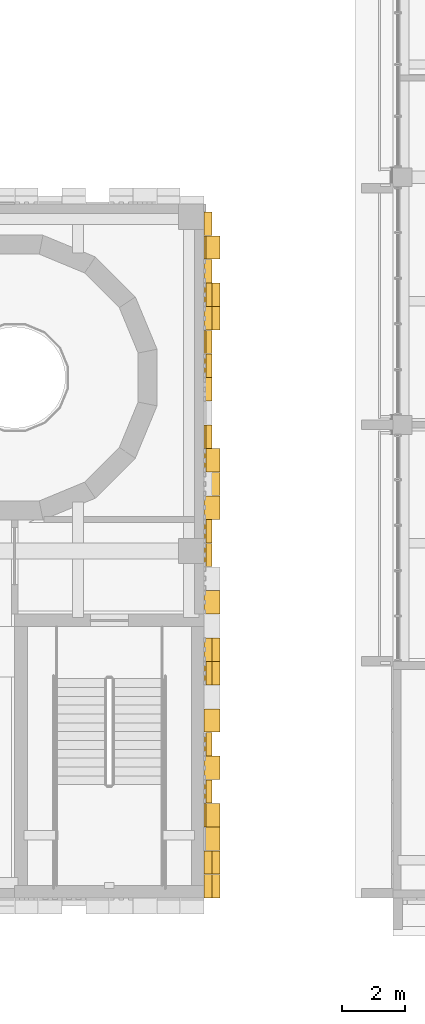
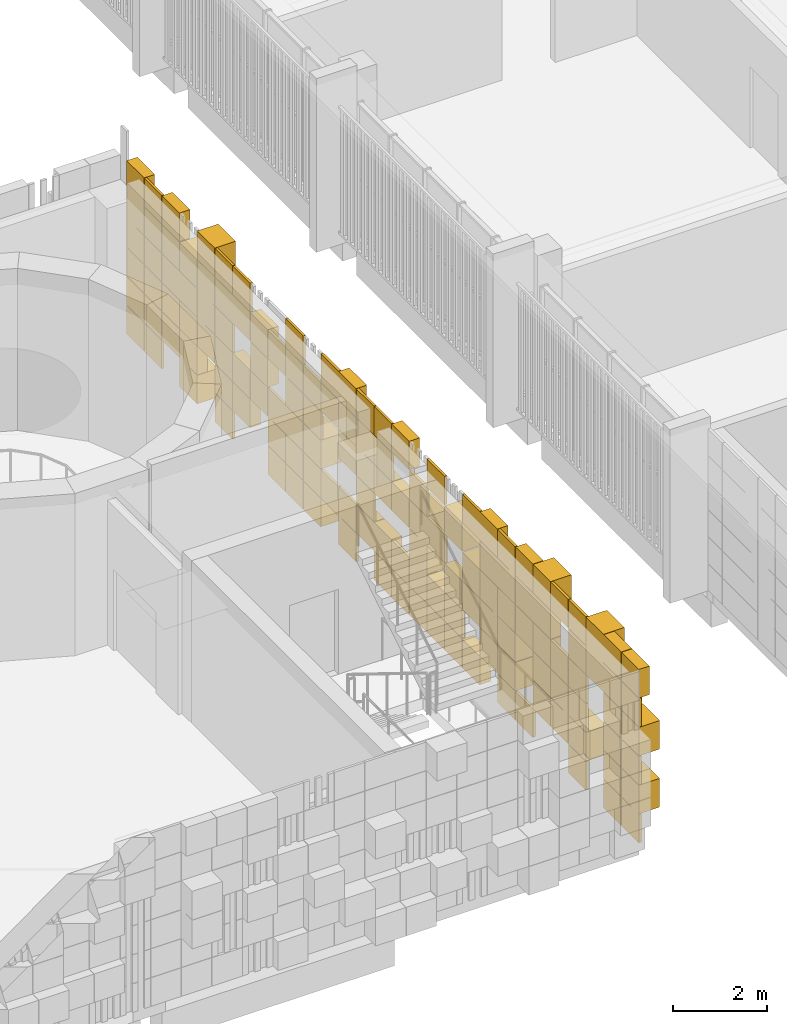
# One storey, part 75 of 92: 4 coverings.
"""IFC4 building model written with IfcOpenShell, lengths in metres."""

from ifc_helpers import new_model, si_unit, direction, frame, origin, origin_2d, place, context, subcontext, project, spatial, rectangle, extrude, material, layer, layer_set, type_object, element, save


model = new_model("IFC4")

# Units and contexts
model_context = context("Model", 3, precision=1e-05, world=origin(), true_north=direction((0.0, 1.0)))
body_context = subcontext(model_context, "Body", "Model", "MODEL_VIEW")
ifc_project = project(units=[si_unit("LENGTHUNIT", "METRE"), si_unit("AREAUNIT", "SQUARE_METRE"), si_unit("VOLUMEUNIT", "CUBIC_METRE"), si_unit("PLANEANGLEUNIT", "RADIAN"), si_unit("MASSUNIT", "GRAM", prefix="KILO")], contexts=[model_context])

# Site, building, storey
site_placement = place(None, origin())
site = spatial("IfcSite", under=ifc_project, at=site_placement, CompositionType="ELEMENT")
building_placement = place(site_placement, origin())
building = spatial("IfcBuilding", under=site, at=building_placement, Name="Sun Court Science Centre", CompositionType="ELEMENT")
storey_placement = place(building_placement, frame((0.0, 0.0, 11.25)))
storey = spatial("IfcBuildingStorey", under=building, at=storey_placement, Name="L02", CompositionType="ELEMENT", Elevation=11.25)

# Coverings
ifc_material_1 = material(Name="Terracotta shade 1", Category="masonry")
ifc_layer_1 = layer(ifc_material_1, 0.06005859375)
ifc_layer_set_1 = layer_set([ifc_layer_1], Name="Terracotta shade 1")
covering_type_1 = type_object("IfcCoveringType", Name="Terracotta pixel panel shade 1", PredefinedType="CLADDING", material=ifc_layer_set_1)
covering_1_placement = place(storey_placement, frame((0.0, 0.0, -11.25)))
element("IfcCovering", 1, at=covering_1_placement, inside=storey, type_object=covering_type_1, Name="Terracotta pixel cladding shade 1 east face L02", PredefinedType="CLADDING", context=body_context, shape_type="SweptSolid", body=[
    extrude(rectangle(XDim=0.739990234375, YDim=0.260009765625, at=origin_2d()), frame((72.1298828125, 27.375, 11.2548828125), z_axis=(0.0, 0.0, 1.0), x_axis=(0.0, -1.0, 0.0)), (0.0, 0.0, 1.0), 0.739990234375),
    extrude(rectangle(XDim=0.739990234375, YDim=0.510009765625, at=origin_2d()), frame((72.2548828125, 19.875, 11.2548828125), z_axis=(0.0, 0.0, 1.0), x_axis=(0.0, -1.0, 0.0)), (0.0, 0.0, 1.0), 0.739990234375),
    extrude(rectangle(XDim=0.739990234375, YDim=0.06005859375, at=origin_2d()), frame((72.030029296875, 16.125, 11.2548828125), z_axis=(0.0, 0.0, 1.0), x_axis=(0.0, -1.0, 0.0)), (0.0, 0.0, 1.0), 0.739990234375),
    extrude(rectangle(XDim=0.739990234375, YDim=0.06005859375, at=origin_2d()), frame((72.030029296875, 13.875, 11.2548828125), z_axis=(0.0, 0.0, 1.0), x_axis=(0.0, -1.0, 0.0)), (0.0, 0.0, 1.0), 0.739990234375),
    extrude(rectangle(XDim=0.739990234375, YDim=0.06005859375, at=origin_2d()), frame((72.030029296875, 8.625, 11.2548828125), z_axis=(0.0, 0.0, 1.0), x_axis=(0.0, -1.0, 0.0)), (0.0, 0.0, 1.0), 0.739990234375),
    extrude(rectangle(XDim=0.739990234375, YDim=0.260009765625, at=origin_2d()), frame((72.1298828125, 27.375, 12.0048828125), z_axis=(0.0, 0.0, 1.0), x_axis=(0.0, -1.0, 0.0)), (0.0, 0.0, 1.0), 0.739990234375),
    extrude(rectangle(XDim=0.739990234375, YDim=0.06005859375, at=origin_2d()), frame((72.030029296875, 25.875, 12.0048828125), z_axis=(0.0, 0.0, 1.0), x_axis=(0.0, -1.0, 0.0)), (0.0, 0.0, 1.0), 0.739990234375),
    extrude(rectangle(XDim=0.739990234375, YDim=0.260009765625, at=origin_2d()), frame((72.1298828125, 22.875, 12.0048828125), z_axis=(0.0, 0.0, 1.0), x_axis=(0.0, -1.0, 0.0)), (0.0, 0.0, 1.0), 0.739990234375),
    extrude(rectangle(XDim=0.739990234375, YDim=0.260009765625, at=origin_2d()), frame((72.1298828125, 21.375, 12.0048828125), z_axis=(0.0, 0.0, 1.0), x_axis=(0.0, -1.0, 0.0)), (0.0, 0.0, 1.0), 0.739990234375),
    extrude(rectangle(XDim=0.739990234375, YDim=0.06005859375, at=origin_2d()), frame((72.030029296875, 19.125, 12.0048828125), z_axis=(0.0, 0.0, 1.0), x_axis=(0.0, -1.0, 0.0)), (0.0, 0.0, 1.0), 0.739990234375),
    extrude(rectangle(XDim=0.739990234375, YDim=0.06005859375, at=origin_2d()), frame((72.030029296875, 13.875, 12.0048828125), z_axis=(0.0, 0.0, 1.0), x_axis=(0.0, -1.0, 0.0)), (0.0, 0.0, 1.0), 0.739990234375),
    extrude(rectangle(XDim=0.739990234375, YDim=0.510009765625, at=origin_2d()), frame((72.2548828125, 12.375, 12.0048828125), z_axis=(0.0, 0.0, 1.0), x_axis=(0.0, -1.0, 0.0)), (0.0, 0.0, 1.0), 0.739990234375),
    extrude(rectangle(XDim=0.739990234375, YDim=0.260009765625, at=origin_2d()), frame((72.1298828125, 9.375, 12.0048828125), z_axis=(0.0, 0.0, 1.0), x_axis=(0.0, -1.0, 0.0)), (0.0, 0.0, 1.0), 0.739990234375),
    extrude(rectangle(XDim=0.739990234375, YDim=0.260009765625, at=origin_2d()), frame((72.1298828125, 7.125, 12.0048828125), z_axis=(0.0, 0.0, 1.0), x_axis=(0.0, -1.0, 0.0)), (0.0, 0.0, 1.0), 0.739990234375),
    extrude(rectangle(XDim=0.739990234375, YDim=0.06005859375, at=origin_2d()), frame((72.030029296875, 25.875, 12.7548828125), z_axis=(0.0, 0.0, 1.0), x_axis=(0.0, -1.0, 0.0)), (0.0, 0.0, 1.0), 0.739990234375),
    extrude(rectangle(XDim=0.739990234375, YDim=0.260009765625, at=origin_2d()), frame((72.1298828125, 22.875, 12.7548828125), z_axis=(0.0, 0.0, 1.0), x_axis=(0.0, -1.0, 0.0)), (0.0, 0.0, 1.0), 0.739990234375),
    extrude(rectangle(XDim=0.739990234375, YDim=0.06005859375, at=origin_2d()), frame((72.030029296875, 21.375, 12.7548828125), z_axis=(0.0, 0.0, 1.0), x_axis=(0.0, -1.0, 0.0)), (0.0, 0.0, 1.0), 0.739990234375),
    extrude(rectangle(XDim=0.739990234375, YDim=0.260009765625, at=origin_2d()), frame((72.1298828125, 20.625, 12.7548828125), z_axis=(0.0, 0.0, 1.0), x_axis=(0.0, -1.0, 0.0)), (0.0, 0.0, 1.0), 0.739990234375),
    extrude(rectangle(XDim=0.739990234375, YDim=0.510009765625, at=origin_2d()), frame((72.2548828125, 19.875, 12.7548828125), z_axis=(0.0, 0.0, 1.0), x_axis=(0.0, -1.0, 0.0)), (0.0, 0.0, 1.0), 0.739990234375),
    extrude(rectangle(XDim=0.739990234375, YDim=0.06005859375, at=origin_2d()), frame((72.030029296875, 13.125, 12.7548828125), z_axis=(0.0, 0.0, 1.0), x_axis=(0.0, -1.0, 0.0)), (0.0, 0.0, 1.0), 0.739990234375),
    extrude(rectangle(XDim=0.739990234375, YDim=0.260009765625, at=origin_2d()), frame((72.1298828125, 9.375, 12.7548828125), z_axis=(0.0, 0.0, 1.0), x_axis=(0.0, -1.0, 0.0)), (0.0, 0.0, 1.0), 0.739990234375),
    extrude(rectangle(XDim=0.739990234375, YDim=0.06005859375, at=origin_2d()), frame((72.030029296875, 8.625, 12.7548828125), z_axis=(0.0, 0.0, 1.0), x_axis=(0.0, -1.0, 0.0)), (0.0, 0.0, 1.0), 0.739990234375),
    extrude(rectangle(XDim=0.739990234375, YDim=0.260009765625, at=origin_2d()), frame((72.1298828125, 25.875, 13.5048828125), z_axis=(0.0, 0.0, 1.0), x_axis=(0.0, -1.0, 0.0)), (0.0, 0.0, 1.0), 0.739990234375),
    extrude(rectangle(XDim=0.739990234375, YDim=0.260009765625, at=origin_2d()), frame((72.1298828125, 25.125, 13.5048828125), z_axis=(0.0, 0.0, 1.0), x_axis=(0.0, -1.0, 0.0)), (0.0, 0.0, 1.0), 0.739990234375),
    extrude(rectangle(XDim=0.739990234375, YDim=0.06005859375, at=origin_2d()), frame((72.030029296875, 23.625, 13.5048828125), z_axis=(0.0, 0.0, 1.0), x_axis=(0.0, -1.0, 0.0)), (0.0, 0.0, 1.0), 0.739990234375),
    extrude(rectangle(XDim=0.739990234375, YDim=0.06005859375, at=origin_2d()), frame((72.030029296875, 19.875, 13.5048828125), z_axis=(0.0, 0.0, 1.0), x_axis=(0.0, -1.0, 0.0)), (0.0, 0.0, 1.0), 0.739990234375),
    extrude(rectangle(XDim=0.739990234375, YDim=0.260009765625, at=origin_2d()), frame((72.1298828125, 17.625, 13.5048828125), z_axis=(0.0, 0.0, 1.0), x_axis=(0.0, -1.0, 0.0)), (0.0, 0.0, 1.0), 0.739990234375),
    extrude(rectangle(XDim=0.739990234375, YDim=0.510009765625, at=origin_2d()), frame((72.2548828125, 13.125, 13.5048828125), z_axis=(0.0, 0.0, 1.0), x_axis=(0.0, -1.0, 0.0)), (0.0, 0.0, 1.0), 0.739990234375),
    extrude(rectangle(XDim=0.739990234375, YDim=0.06005859375, at=origin_2d()), frame((72.030029296875, 11.625, 13.5048828125), z_axis=(0.0, 0.0, 1.0), x_axis=(0.0, -1.0, 0.0)), (0.0, 0.0, 1.0), 0.739990234375),
    extrude(rectangle(XDim=0.739990234375, YDim=0.06005859375, at=origin_2d()), frame((72.030029296875, 10.875, 13.5048828125), z_axis=(0.0, 0.0, 1.0), x_axis=(0.0, -1.0, 0.0)), (0.0, 0.0, 1.0), 0.739990234375),
    extrude(rectangle(XDim=0.739990234375, YDim=0.260009765625, at=origin_2d()), frame((72.1298828125, 27.375, 14.2548828125), z_axis=(0.0, 0.0, 1.0), x_axis=(0.0, -1.0, 0.0)), (0.0, 0.0, 1.0), 0.739990234375),
    extrude(rectangle(XDim=0.739990234375, YDim=0.06005859375, at=origin_2d()), frame((72.030029296875, 26.625, 14.2548828125), z_axis=(0.0, 0.0, 1.0), x_axis=(0.0, -1.0, 0.0)), (0.0, 0.0, 1.0), 0.739990234375),
    extrude(rectangle(XDim=0.739990234375, YDim=0.510009765625, at=origin_2d()), frame((72.2548828125, 25.125, 14.2548828125), z_axis=(0.0, 0.0, 1.0), x_axis=(0.0, -1.0, 0.0)), (0.0, 0.0, 1.0), 0.739990234375),
    extrude(rectangle(XDim=0.739990234375, YDim=0.510009765625, at=origin_2d()), frame((72.2548828125, 19.125, 14.2548828125), z_axis=(0.0, 0.0, 1.0), x_axis=(0.0, -1.0, 0.0)), (0.0, 0.0, 1.0), 0.739990234375),
    extrude(rectangle(XDim=0.739990234375, YDim=0.06005859375, at=origin_2d()), frame((72.030029296875, 17.625, 14.2548828125), z_axis=(0.0, 0.0, 1.0), x_axis=(0.0, -1.0, 0.0)), (0.0, 0.0, 1.0), 0.739990234375),
    extrude(rectangle(XDim=0.739990234375, YDim=0.06005859375, at=origin_2d()), frame((72.030029296875, 15.375, 14.2548828125), z_axis=(0.0, 0.0, 1.0), x_axis=(0.0, -1.0, 0.0)), (0.0, 0.0, 1.0), 0.739990234375),
    extrude(rectangle(XDim=0.739990234375, YDim=0.260009765625, at=origin_2d()), frame((72.1298828125, 25.875, 15.0048828125), z_axis=(0.0, 0.0, 1.0), x_axis=(0.0, -1.0, 0.0)), (0.0, 0.0, 1.0), 0.739990234375),
    extrude(rectangle(XDim=0.739990234375, YDim=0.510009765625, at=origin_2d()), frame((72.2548828125, 24.375, 15.0048828125), z_axis=(0.0, 0.0, 1.0), x_axis=(0.0, -1.0, 0.0)), (0.0, 0.0, 1.0), 0.739990234375),
    extrude(rectangle(XDim=0.739990234375, YDim=0.06005859375, at=origin_2d()), frame((72.030029296875, 20.625, 15.0048828125), z_axis=(0.0, 0.0, 1.0), x_axis=(0.0, -1.0, 0.0)), (0.0, 0.0, 1.0), 0.739990234375),
    extrude(rectangle(XDim=0.739990234375, YDim=0.06005859375, at=origin_2d()), frame((72.030029296875, 19.125, 15.0048828125), z_axis=(0.0, 0.0, 1.0), x_axis=(0.0, -1.0, 0.0)), (0.0, 0.0, 1.0), 0.739990234375),
    extrude(rectangle(XDim=0.739990234375, YDim=0.260009765625, at=origin_2d()), frame((72.1298828125, 18.375, 15.0048828125), z_axis=(0.0, 0.0, 1.0), x_axis=(0.0, -1.0, 0.0)), (0.0, 0.0, 1.0), 0.739990234375),
    extrude(rectangle(XDim=0.739990234375, YDim=0.06005859375, at=origin_2d()), frame((72.030029296875, 14.625, 15.0048828125), z_axis=(0.0, 0.0, 1.0), x_axis=(0.0, -1.0, 0.0)), (0.0, 0.0, 1.0), 0.739990234375),
    extrude(rectangle(XDim=0.739990234375, YDim=0.06005859375, at=origin_2d()), frame((72.030029296875, 8.625, 15.0048828125), z_axis=(0.0, 0.0, 1.0), x_axis=(0.0, -1.0, 0.0)), (0.0, 0.0, 1.0), 0.739990234375),
    extrude(rectangle(XDim=0.739990234375, YDim=0.260009765625, at=origin_2d()), frame((72.1298828125, 6.375, 15.0048828125), z_axis=(0.0, 0.0, 1.0), x_axis=(0.0, -1.0, 0.0)), (0.0, 0.0, 1.0), 0.739990234375),
    extrude(rectangle(XDim=0.739990234375, YDim=0.06005859375, at=origin_2d()), frame((72.030029296875, 6.375, 11.2548828125), z_axis=(0.0, 0.0, 1.0), x_axis=(0.0, -1.0, 0.0)), (0.0, 0.0, 1.0), 0.739990234375),
    extrude(rectangle(XDim=0.739990234375, YDim=0.06005859375, at=origin_2d()), frame((72.030029296875, 6.375, 14.2548828125), z_axis=(0.0, 0.0, 1.0), x_axis=(0.0, -1.0, 0.0)), (0.0, 0.0, 1.0), 0.739990234375),
    extrude(rectangle(XDim=0.739990234375, YDim=0.06005859375, at=origin_2d()), frame((72.030029296875, 27.375, 12.7548828125), z_axis=(0.0, 0.0, 1.0), x_axis=(0.0, -1.0, 0.0)), (0.0, 0.0, 1.0), 0.739990234375),
    extrude(rectangle(XDim=0.739990234375, YDim=0.06005859375, at=origin_2d()), frame((72.030029296875, 6.375, 12.7548828125), z_axis=(0.0, 0.0, 1.0), x_axis=(0.0, -1.0, 0.0)), (0.0, 0.0, 1.0), 0.739990234375),
    extrude(rectangle(XDim=0.739990234375, YDim=0.06005859375, at=origin_2d()), frame((72.030029296875, 27.375, 13.5048828125), z_axis=(0.0, 0.0, 1.0), x_axis=(0.0, -1.0, 0.0)), (0.0, 0.0, 1.0), 0.739990234375),
    extrude(rectangle(XDim=0.739990234375, YDim=0.260009765625, at=origin_2d()), frame((72.1298828125, 27.375, 15.0048828125), z_axis=(0.0, 0.0, 1.0), x_axis=(0.0, -1.0, 0.0)), (0.0, 0.0, 1.0), 0.739990234375),
    extrude(rectangle(XDim=0.739990234375, YDim=0.510009765625, at=origin_2d()), frame((72.2548828125, 6.375, 12.0048828125), z_axis=(0.0, 0.0, 1.0), x_axis=(0.0, -1.0, 0.0)), (0.0, 0.0, 1.0), 0.739990234375),
    extrude(rectangle(XDim=0.739990234375, YDim=0.510009765625, at=origin_2d()), frame((72.2548828125, 6.375, 13.5048828125), z_axis=(0.0, 0.0, 1.0), x_axis=(0.0, -1.0, 0.0)), (0.0, 0.0, 1.0), 0.739990234375),
])
ifc_material_2 = material(Name="Terracotta shade 2", Category="masonry")
ifc_layer_2 = layer(ifc_material_2, 0.06005859375)
ifc_layer_set_2 = layer_set([ifc_layer_2], Name="Terracotta shade 2")
covering_type_2 = type_object("IfcCoveringType", Name="Terracotta pixel panel shade 2", PredefinedType="CLADDING", material=ifc_layer_set_2)
covering_2_placement = place(storey_placement, frame((0.0, 0.0, -11.25)))
element("IfcCovering", 2, at=covering_2_placement, inside=storey, type_object=covering_type_2, Name="Terracotta pixel cladding shade 2 east face L02", PredefinedType="CLADDING", context=body_context, shape_type="SweptSolid", body=[
    extrude(rectangle(XDim=0.739990234375, YDim=0.06005859375, at=origin_2d()), frame((72.030029296875, 26.625, 11.2548828125), z_axis=(0.0, 0.0, 1.0), x_axis=(0.0, -1.0, 0.0)), (0.0, 0.0, 1.0), 0.739990234375),
    extrude(rectangle(XDim=0.739990234375, YDim=0.510009765625, at=origin_2d()), frame((72.2548828125, 25.125, 11.2548828125), z_axis=(0.0, 0.0, 1.0), x_axis=(0.0, -1.0, 0.0)), (0.0, 0.0, 1.0), 0.739990234375),
    extrude(rectangle(XDim=0.739990234375, YDim=0.06005859375, at=origin_2d()), frame((72.030029296875, 23.625, 11.2548828125), z_axis=(0.0, 0.0, 1.0), x_axis=(0.0, -1.0, 0.0)), (0.0, 0.0, 1.0), 0.739990234375),
    extrude(rectangle(XDim=0.739990234375, YDim=0.06005859375, at=origin_2d()), frame((72.030029296875, 20.625, 11.2548828125), z_axis=(0.0, 0.0, 1.0), x_axis=(0.0, -1.0, 0.0)), (0.0, 0.0, 1.0), 0.739990234375),
    extrude(rectangle(XDim=0.739990234375, YDim=0.260009765625, at=origin_2d()), frame((72.1298828125, 15.375, 11.2548828125), z_axis=(0.0, 0.0, 1.0), x_axis=(0.0, -1.0, 0.0)), (0.0, 0.0, 1.0), 0.739990234375),
    extrude(rectangle(XDim=0.739990234375, YDim=0.260009765625, at=origin_2d()), frame((72.1298828125, 13.125, 11.2548828125), z_axis=(0.0, 0.0, 1.0), x_axis=(0.0, -1.0, 0.0)), (0.0, 0.0, 1.0), 0.739990234375),
    extrude(rectangle(XDim=0.739990234375, YDim=0.06005859375, at=origin_2d()), frame((72.030029296875, 10.875, 11.2548828125), z_axis=(0.0, 0.0, 1.0), x_axis=(0.0, -1.0, 0.0)), (0.0, 0.0, 1.0), 0.739990234375),
    extrude(rectangle(XDim=0.739990234375, YDim=0.260009765625, at=origin_2d()), frame((72.1298828125, 25.125, 12.0048828125), z_axis=(0.0, 0.0, 1.0), x_axis=(0.0, -1.0, 0.0)), (0.0, 0.0, 1.0), 0.739990234375),
    extrude(rectangle(XDim=0.739990234375, YDim=0.06005859375, at=origin_2d()), frame((72.030029296875, 19.875, 12.0048828125), z_axis=(0.0, 0.0, 1.0), x_axis=(0.0, -1.0, 0.0)), (0.0, 0.0, 1.0), 0.739990234375),
    extrude(rectangle(XDim=0.739990234375, YDim=0.510009765625, at=origin_2d()), frame((72.2548828125, 14.625, 12.0048828125), z_axis=(0.0, 0.0, 1.0), x_axis=(0.0, -1.0, 0.0)), (0.0, 0.0, 1.0), 0.739990234375),
    extrude(rectangle(XDim=0.739990234375, YDim=0.510009765625, at=origin_2d()), frame((72.2548828125, 8.625, 12.0048828125), z_axis=(0.0, 0.0, 1.0), x_axis=(0.0, -1.0, 0.0)), (0.0, 0.0, 1.0), 0.739990234375),
    extrude(rectangle(XDim=0.739990234375, YDim=0.06005859375, at=origin_2d()), frame((72.030029296875, 26.625, 12.7548828125), z_axis=(0.0, 0.0, 1.0), x_axis=(0.0, -1.0, 0.0)), (0.0, 0.0, 1.0), 0.739990234375),
    extrude(rectangle(XDim=0.739990234375, YDim=0.06005859375, at=origin_2d()), frame((72.030029296875, 22.125, 12.7548828125), z_axis=(0.0, 0.0, 1.0), x_axis=(0.0, -1.0, 0.0)), (0.0, 0.0, 1.0), 0.739990234375),
    extrude(rectangle(XDim=0.739990234375, YDim=0.06005859375, at=origin_2d()), frame((72.030029296875, 17.625, 12.7548828125), z_axis=(0.0, 0.0, 1.0), x_axis=(0.0, -1.0, 0.0)), (0.0, 0.0, 1.0), 0.739990234375),
    extrude(rectangle(XDim=0.739990234375, YDim=0.06005859375, at=origin_2d()), frame((72.030029296875, 12.375, 12.7548828125), z_axis=(0.0, 0.0, 1.0), x_axis=(0.0, -1.0, 0.0)), (0.0, 0.0, 1.0), 0.739990234375),
    extrude(rectangle(XDim=0.739990234375, YDim=0.510009765625, at=origin_2d()), frame((72.2548828125, 18.375, 13.5048828125), z_axis=(0.0, 0.0, 1.0), x_axis=(0.0, -1.0, 0.0)), (0.0, 0.0, 1.0), 0.739990234375),
    extrude(rectangle(XDim=0.739990234375, YDim=0.510009765625, at=origin_2d()), frame((72.2548828125, 12.375, 13.5048828125), z_axis=(0.0, 0.0, 1.0), x_axis=(0.0, -1.0, 0.0)), (0.0, 0.0, 1.0), 0.739990234375),
    extrude(rectangle(XDim=0.739990234375, YDim=0.260009765625, at=origin_2d()), frame((72.1298828125, 10.125, 13.5048828125), z_axis=(0.0, 0.0, 1.0), x_axis=(0.0, -1.0, 0.0)), (0.0, 0.0, 1.0), 0.739990234375),
    extrude(rectangle(XDim=0.739990234375, YDim=0.06005859375, at=origin_2d()), frame((72.030029296875, 8.625, 13.5048828125), z_axis=(0.0, 0.0, 1.0), x_axis=(0.0, -1.0, 0.0)), (0.0, 0.0, 1.0), 0.739990234375),
    extrude(rectangle(XDim=0.739990234375, YDim=0.510009765625, at=origin_2d()), frame((72.2548828125, 7.125, 13.5048828125), z_axis=(0.0, 0.0, 1.0), x_axis=(0.0, -1.0, 0.0)), (0.0, 0.0, 1.0), 0.739990234375),
    extrude(rectangle(XDim=0.739990234375, YDim=0.06005859375, at=origin_2d()), frame((72.030029296875, 23.625, 14.2548828125), z_axis=(0.0, 0.0, 1.0), x_axis=(0.0, -1.0, 0.0)), (0.0, 0.0, 1.0), 0.739990234375),
    extrude(rectangle(XDim=0.739990234375, YDim=0.06005859375, at=origin_2d()), frame((72.030029296875, 22.875, 14.2548828125), z_axis=(0.0, 0.0, 1.0), x_axis=(0.0, -1.0, 0.0)), (0.0, 0.0, 1.0), 0.739990234375),
    extrude(rectangle(XDim=0.739990234375, YDim=0.260009765625, at=origin_2d()), frame((72.1298828125, 22.125, 14.2548828125), z_axis=(0.0, 0.0, 1.0), x_axis=(0.0, -1.0, 0.0)), (0.0, 0.0, 1.0), 0.739990234375),
    extrude(rectangle(XDim=0.739990234375, YDim=0.06005859375, at=origin_2d()), frame((72.030029296875, 21.375, 14.2548828125), z_axis=(0.0, 0.0, 1.0), x_axis=(0.0, -1.0, 0.0)), (0.0, 0.0, 1.0), 0.739990234375),
    extrude(rectangle(XDim=0.739990234375, YDim=0.06005859375, at=origin_2d()), frame((72.030029296875, 19.875, 14.2548828125), z_axis=(0.0, 0.0, 1.0), x_axis=(0.0, -1.0, 0.0)), (0.0, 0.0, 1.0), 0.739990234375),
    extrude(rectangle(XDim=0.739990234375, YDim=0.510009765625, at=origin_2d()), frame((72.2548828125, 13.875, 14.2548828125), z_axis=(0.0, 0.0, 1.0), x_axis=(0.0, -1.0, 0.0)), (0.0, 0.0, 1.0), 0.739990234375),
    extrude(rectangle(XDim=0.739990234375, YDim=0.510009765625, at=origin_2d()), frame((72.2548828125, 12.375, 14.2548828125), z_axis=(0.0, 0.0, 1.0), x_axis=(0.0, -1.0, 0.0)), (0.0, 0.0, 1.0), 0.739990234375),
    extrude(rectangle(XDim=0.739990234375, YDim=0.510009765625, at=origin_2d()), frame((72.2548828125, 11.625, 14.2548828125), z_axis=(0.0, 0.0, 1.0), x_axis=(0.0, -1.0, 0.0)), (0.0, 0.0, 1.0), 0.739990234375),
    extrude(rectangle(XDim=0.739990234375, YDim=0.260009765625, at=origin_2d()), frame((72.1298828125, 7.875, 14.2548828125), z_axis=(0.0, 0.0, 1.0), x_axis=(0.0, -1.0, 0.0)), (0.0, 0.0, 1.0), 0.739990234375),
    extrude(rectangle(XDim=0.739990234375, YDim=0.06005859375, at=origin_2d()), frame((72.030029296875, 16.875, 15.0048828125), z_axis=(0.0, 0.0, 1.0), x_axis=(0.0, -1.0, 0.0)), (0.0, 0.0, 1.0), 0.739990234375),
    extrude(rectangle(XDim=0.739990234375, YDim=0.06005859375, at=origin_2d()), frame((72.030029296875, 11.625, 15.0048828125), z_axis=(0.0, 0.0, 1.0), x_axis=(0.0, -1.0, 0.0)), (0.0, 0.0, 1.0), 0.739990234375),
    extrude(rectangle(XDim=0.739990234375, YDim=0.510009765625, at=origin_2d()), frame((72.2548828125, 7.875, 15.0048828125), z_axis=(0.0, 0.0, 1.0), x_axis=(0.0, -1.0, 0.0)), (0.0, 0.0, 1.0), 0.739990234375),
    extrude(rectangle(XDim=0.739990234375, YDim=0.06005859375, at=origin_2d()), frame((72.030029296875, 7.125, 11.2548828125), z_axis=(0.0, 0.0, 1.0), x_axis=(0.0, -1.0, 0.0)), (0.0, 0.0, 1.0), 0.739990234375),
    extrude(rectangle(XDim=0.739990234375, YDim=0.510009765625, at=origin_2d()), frame((72.2548828125, 26.625, 12.0048828125), z_axis=(0.0, 0.0, 1.0), x_axis=(0.0, -1.0, 0.0)), (0.0, 0.0, 1.0), 0.739990234375),
    extrude(rectangle(XDim=0.739990234375, YDim=0.06005859375, at=origin_2d()), frame((72.030029296875, 7.125, 12.7548828125), z_axis=(0.0, 0.0, 1.0), x_axis=(0.0, -1.0, 0.0)), (0.0, 0.0, 1.0), 0.739990234375),
    extrude(rectangle(XDim=0.739990234375, YDim=0.510009765625, at=origin_2d()), frame((72.2548828125, 7.125, 14.2548828125), z_axis=(0.0, 0.0, 1.0), x_axis=(0.0, -1.0, 0.0)), (0.0, 0.0, 1.0), 0.739990234375),
    extrude(rectangle(XDim=0.739990234375, YDim=0.260009765625, at=origin_2d()), frame((72.1298828125, 7.125, 15.0048828125), z_axis=(0.0, 0.0, 1.0), x_axis=(0.0, -1.0, 0.0)), (0.0, 0.0, 1.0), 0.739990234375),
    extrude(rectangle(XDim=0.739990234375, YDim=0.510009765625, at=origin_2d()), frame((72.2548828125, 26.625, 13.5048828125), z_axis=(0.0, 0.0, 1.0), x_axis=(0.0, -1.0, 0.0)), (0.0, 0.0, 1.0), 0.739990234375),
    extrude(rectangle(XDim=0.739990234375, YDim=0.06005859375, at=origin_2d()), frame((72.030029296875, 26.625, 15.0048828125), z_axis=(0.0, 0.0, 1.0), x_axis=(0.0, -1.0, 0.0)), (0.0, 0.0, 1.0), 0.739990234375),
])
ifc_material_3 = material(Name="Terracotta shade 3", Category="masonry")
ifc_layer_3 = layer(ifc_material_3, 0.06005859375)
ifc_layer_set_3 = layer_set([ifc_layer_3], Name="Terracotta shade 3")
covering_type_3 = type_object("IfcCoveringType", Name="Terracotta pixel panel shade 3", PredefinedType="CLADDING", material=ifc_layer_set_3)
covering_3_placement = place(storey_placement, frame((0.0, 0.0, -11.25)))
element("IfcCovering", 3, at=covering_3_placement, inside=storey, type_object=covering_type_3, Name="Terracotta pixel cladding shade 3 east face L02", PredefinedType="CLADDING", context=body_context, shape_type="SweptSolid", body=[
    extrude(rectangle(XDim=0.739990234375, YDim=0.510009765625, at=origin_2d()), frame((72.2548828125, 14.625, 11.2548828125), z_axis=(0.0, 0.0, 1.0), x_axis=(0.0, -1.0, 0.0)), (0.0, 0.0, 1.0), 0.739990234375),
    extrude(rectangle(XDim=0.739990234375, YDim=0.06005859375, at=origin_2d()), frame((72.030029296875, 11.625, 11.2548828125), z_axis=(0.0, 0.0, 1.0), x_axis=(0.0, -1.0, 0.0)), (0.0, 0.0, 1.0), 0.739990234375),
    extrude(rectangle(XDim=0.739990234375, YDim=0.06005859375, at=origin_2d()), frame((72.030029296875, 16.125, 12.0048828125), z_axis=(0.0, 0.0, 1.0), x_axis=(0.0, -1.0, 0.0)), (0.0, 0.0, 1.0), 0.739990234375),
    extrude(rectangle(XDim=0.739990234375, YDim=0.260009765625, at=origin_2d()), frame((72.1298828125, 15.375, 12.0048828125), z_axis=(0.0, 0.0, 1.0), x_axis=(0.0, -1.0, 0.0)), (0.0, 0.0, 1.0), 0.739990234375),
    extrude(rectangle(XDim=0.739990234375, YDim=0.510009765625, at=origin_2d()), frame((72.2548828125, 10.125, 12.0048828125), z_axis=(0.0, 0.0, 1.0), x_axis=(0.0, -1.0, 0.0)), (0.0, 0.0, 1.0), 0.739990234375),
    extrude(rectangle(XDim=0.739990234375, YDim=0.06005859375, at=origin_2d()), frame((72.030029296875, 25.125, 12.7548828125), z_axis=(0.0, 0.0, 1.0), x_axis=(0.0, -1.0, 0.0)), (0.0, 0.0, 1.0), 0.739990234375),
    extrude(rectangle(XDim=0.739990234375, YDim=0.06005859375, at=origin_2d()), frame((72.030029296875, 23.625, 12.7548828125), z_axis=(0.0, 0.0, 1.0), x_axis=(0.0, -1.0, 0.0)), (0.0, 0.0, 1.0), 0.739990234375),
    extrude(rectangle(XDim=0.739990234375, YDim=0.510009765625, at=origin_2d()), frame((72.2548828125, 15.375, 12.7548828125), z_axis=(0.0, 0.0, 1.0), x_axis=(0.0, -1.0, 0.0)), (0.0, 0.0, 1.0), 0.739990234375),
    extrude(rectangle(XDim=0.739990234375, YDim=0.260009765625, at=origin_2d()), frame((72.1298828125, 13.875, 12.7548828125), z_axis=(0.0, 0.0, 1.0), x_axis=(0.0, -1.0, 0.0)), (0.0, 0.0, 1.0), 0.739990234375),
    extrude(rectangle(XDim=0.739990234375, YDim=0.510009765625, at=origin_2d()), frame((72.2548828125, 11.625, 12.7548828125), z_axis=(0.0, 0.0, 1.0), x_axis=(0.0, -1.0, 0.0)), (0.0, 0.0, 1.0), 0.739990234375),
    extrude(rectangle(XDim=0.739990234375, YDim=0.06005859375, at=origin_2d()), frame((72.030029296875, 10.125, 12.7548828125), z_axis=(0.0, 0.0, 1.0), x_axis=(0.0, -1.0, 0.0)), (0.0, 0.0, 1.0), 0.739990234375),
    extrude(rectangle(XDim=0.739990234375, YDim=0.260009765625, at=origin_2d()), frame((72.1298828125, 22.125, 13.5048828125), z_axis=(0.0, 0.0, 1.0), x_axis=(0.0, -1.0, 0.0)), (0.0, 0.0, 1.0), 0.739990234375),
    extrude(rectangle(XDim=0.739990234375, YDim=0.260009765625, at=origin_2d()), frame((72.1298828125, 20.625, 13.5048828125), z_axis=(0.0, 0.0, 1.0), x_axis=(0.0, -1.0, 0.0)), (0.0, 0.0, 1.0), 0.739990234375),
    extrude(rectangle(XDim=0.739990234375, YDim=0.260009765625, at=origin_2d()), frame((72.1298828125, 16.125, 13.5048828125), z_axis=(0.0, 0.0, 1.0), x_axis=(0.0, -1.0, 0.0)), (0.0, 0.0, 1.0), 0.739990234375),
    extrude(rectangle(XDim=0.739990234375, YDim=0.510009765625, at=origin_2d()), frame((72.2548828125, 15.375, 13.5048828125), z_axis=(0.0, 0.0, 1.0), x_axis=(0.0, -1.0, 0.0)), (0.0, 0.0, 1.0), 0.739990234375),
    extrude(rectangle(XDim=0.739990234375, YDim=0.06005859375, at=origin_2d()), frame((72.030029296875, 14.625, 13.5048828125), z_axis=(0.0, 0.0, 1.0), x_axis=(0.0, -1.0, 0.0)), (0.0, 0.0, 1.0), 0.739990234375),
    extrude(rectangle(XDim=0.739990234375, YDim=0.06005859375, at=origin_2d()), frame((72.030029296875, 9.375, 13.5048828125), z_axis=(0.0, 0.0, 1.0), x_axis=(0.0, -1.0, 0.0)), (0.0, 0.0, 1.0), 0.739990234375),
    extrude(rectangle(XDim=0.739990234375, YDim=0.260009765625, at=origin_2d()), frame((72.1298828125, 25.875, 14.2548828125), z_axis=(0.0, 0.0, 1.0), x_axis=(0.0, -1.0, 0.0)), (0.0, 0.0, 1.0), 0.739990234375),
    extrude(rectangle(XDim=0.739990234375, YDim=0.06005859375, at=origin_2d()), frame((72.030029296875, 20.625, 14.2548828125), z_axis=(0.0, 0.0, 1.0), x_axis=(0.0, -1.0, 0.0)), (0.0, 0.0, 1.0), 0.739990234375),
    extrude(rectangle(XDim=0.739990234375, YDim=0.06005859375, at=origin_2d()), frame((72.030029296875, 8.625, 14.2548828125), z_axis=(0.0, 0.0, 1.0), x_axis=(0.0, -1.0, 0.0)), (0.0, 0.0, 1.0), 0.739990234375),
    extrude(rectangle(XDim=0.739990234375, YDim=0.06005859375, at=origin_2d()), frame((72.030029296875, 22.875, 15.0048828125), z_axis=(0.0, 0.0, 1.0), x_axis=(0.0, -1.0, 0.0)), (0.0, 0.0, 1.0), 0.739990234375),
    extrude(rectangle(XDim=0.739990234375, YDim=0.260009765625, at=origin_2d()), frame((72.1298828125, 16.125, 15.0048828125), z_axis=(0.0, 0.0, 1.0), x_axis=(0.0, -1.0, 0.0)), (0.0, 0.0, 1.0), 0.739990234375),
    extrude(rectangle(XDim=0.739990234375, YDim=0.260009765625, at=origin_2d()), frame((72.1298828125, 10.875, 15.0048828125), z_axis=(0.0, 0.0, 1.0), x_axis=(0.0, -1.0, 0.0)), (0.0, 0.0, 1.0), 0.739990234375),
    extrude(rectangle(XDim=0.739990234375, YDim=0.06005859375, at=origin_2d()), frame((72.030029296875, 9.375, 15.0048828125), z_axis=(0.0, 0.0, 1.0), x_axis=(0.0, -1.0, 0.0)), (0.0, 0.0, 1.0), 0.739990234375),
])
ifc_material_4 = material(Name="Terracotta shade 4", Category="masonry")
ifc_layer_4 = layer(ifc_material_4, 0.06005859375)
ifc_layer_set_4 = layer_set([ifc_layer_4], Name="Terracotta shade 4")
covering_type_4 = type_object("IfcCoveringType", Name="Terracotta pixel panel shade 4", PredefinedType="CLADDING", material=ifc_layer_set_4)
covering_4_placement = place(storey_placement, frame((0.0, 0.0, -11.25)))
element("IfcCovering", 4, at=covering_4_placement, inside=storey, type_object=covering_type_4, Name="Terracotta pixel cladding shade 4 east face L02", PredefinedType="CLADDING", context=body_context, shape_type="SweptSolid", body=[
    extrude(rectangle(XDim=0.739990234375, YDim=0.06005859375, at=origin_2d()), frame((72.030029296875, 21.375, 11.2548828125), z_axis=(0.0, 0.0, 1.0), x_axis=(0.0, -1.0, 0.0)), (0.0, 0.0, 1.0), 0.739990234375),
    extrude(rectangle(XDim=0.739990234375, YDim=0.06005859375, at=origin_2d()), frame((72.030029296875, 18.375, 11.2548828125), z_axis=(0.0, 0.0, 1.0), x_axis=(0.0, -1.0, 0.0)), (0.0, 0.0, 1.0), 0.739990234375),
    extrude(rectangle(XDim=0.739990234375, YDim=0.260009765625, at=origin_2d()), frame((72.1298828125, 16.875, 11.2548828125), z_axis=(0.0, 0.0, 1.0), x_axis=(0.0, -1.0, 0.0)), (0.0, 0.0, 1.0), 0.739990234375),
    extrude(rectangle(XDim=0.739990234375, YDim=0.260009765625, at=origin_2d()), frame((72.1298828125, 23.625, 12.0048828125), z_axis=(0.0, 0.0, 1.0), x_axis=(0.0, -1.0, 0.0)), (0.0, 0.0, 1.0), 0.739990234375),
    extrude(rectangle(XDim=0.739990234375, YDim=0.06005859375, at=origin_2d()), frame((72.030029296875, 20.625, 12.0048828125), z_axis=(0.0, 0.0, 1.0), x_axis=(0.0, -1.0, 0.0)), (0.0, 0.0, 1.0), 0.739990234375),
    extrude(rectangle(XDim=0.739990234375, YDim=0.06005859375, at=origin_2d()), frame((72.030029296875, 18.375, 12.0048828125), z_axis=(0.0, 0.0, 1.0), x_axis=(0.0, -1.0, 0.0)), (0.0, 0.0, 1.0), 0.739990234375),
    extrude(rectangle(XDim=0.739990234375, YDim=0.260009765625, at=origin_2d()), frame((72.1298828125, 17.625, 12.0048828125), z_axis=(0.0, 0.0, 1.0), x_axis=(0.0, -1.0, 0.0)), (0.0, 0.0, 1.0), 0.739990234375),
    extrude(rectangle(XDim=0.739990234375, YDim=0.260009765625, at=origin_2d()), frame((72.1298828125, 16.875, 12.0048828125), z_axis=(0.0, 0.0, 1.0), x_axis=(0.0, -1.0, 0.0)), (0.0, 0.0, 1.0), 0.739990234375),
    extrude(rectangle(XDim=0.739990234375, YDim=0.510009765625, at=origin_2d()), frame((72.2548828125, 11.625, 12.0048828125), z_axis=(0.0, 0.0, 1.0), x_axis=(0.0, -1.0, 0.0)), (0.0, 0.0, 1.0), 0.739990234375),
    extrude(rectangle(XDim=0.739990234375, YDim=0.06005859375, at=origin_2d()), frame((72.030029296875, 24.375, 12.7548828125), z_axis=(0.0, 0.0, 1.0), x_axis=(0.0, -1.0, 0.0)), (0.0, 0.0, 1.0), 0.739990234375),
    extrude(rectangle(XDim=0.739990234375, YDim=0.260009765625, at=origin_2d()), frame((72.1298828125, 24.375, 13.5048828125), z_axis=(0.0, 0.0, 1.0), x_axis=(0.0, -1.0, 0.0)), (0.0, 0.0, 1.0), 0.739990234375),
    extrude(rectangle(XDim=0.739990234375, YDim=0.260009765625, at=origin_2d()), frame((72.1298828125, 16.875, 13.5048828125), z_axis=(0.0, 0.0, 1.0), x_axis=(0.0, -1.0, 0.0)), (0.0, 0.0, 1.0), 0.739990234375),
    extrude(rectangle(XDim=0.739990234375, YDim=0.510009765625, at=origin_2d()), frame((72.2548828125, 18.375, 14.2548828125), z_axis=(0.0, 0.0, 1.0), x_axis=(0.0, -1.0, 0.0)), (0.0, 0.0, 1.0), 0.739990234375),
    extrude(rectangle(XDim=0.739990234375, YDim=0.06005859375, at=origin_2d()), frame((72.030029296875, 16.875, 14.2548828125), z_axis=(0.0, 0.0, 1.0), x_axis=(0.0, -1.0, 0.0)), (0.0, 0.0, 1.0), 0.739990234375),
    extrude(rectangle(XDim=0.739990234375, YDim=0.06005859375, at=origin_2d()), frame((72.030029296875, 10.875, 14.2548828125), z_axis=(0.0, 0.0, 1.0), x_axis=(0.0, -1.0, 0.0)), (0.0, 0.0, 1.0), 0.739990234375),
    extrude(rectangle(XDim=0.739990234375, YDim=0.260009765625, at=origin_2d()), frame((72.1298828125, 10.125, 14.2548828125), z_axis=(0.0, 0.0, 1.0), x_axis=(0.0, -1.0, 0.0)), (0.0, 0.0, 1.0), 0.739990234375),
    extrude(rectangle(XDim=0.739990234375, YDim=0.06005859375, at=origin_2d()), frame((72.030029296875, 23.625, 15.0048828125), z_axis=(0.0, 0.0, 1.0), x_axis=(0.0, -1.0, 0.0)), (0.0, 0.0, 1.0), 0.739990234375),
    extrude(rectangle(XDim=0.739990234375, YDim=0.06005859375, at=origin_2d()), frame((72.030029296875, 17.625, 15.0048828125), z_axis=(0.0, 0.0, 1.0), x_axis=(0.0, -1.0, 0.0)), (0.0, 0.0, 1.0), 0.739990234375),
    extrude(rectangle(XDim=0.739990234375, YDim=0.06005859375, at=origin_2d()), frame((72.030029296875, 13.125, 15.0048828125), z_axis=(0.0, 0.0, 1.0), x_axis=(0.0, -1.0, 0.0)), (0.0, 0.0, 1.0), 0.739990234375),
    extrude(rectangle(XDim=0.739990234375, YDim=0.260009765625, at=origin_2d()), frame((72.1298828125, 12.375, 15.0048828125), z_axis=(0.0, 0.0, 1.0), x_axis=(0.0, -1.0, 0.0)), (0.0, 0.0, 1.0), 0.739990234375),
    extrude(rectangle(XDim=0.739990234375, YDim=0.510009765625, at=origin_2d()), frame((72.2548828125, 10.125, 15.0048828125), z_axis=(0.0, 0.0, 1.0), x_axis=(0.0, -1.0, 0.0)), (0.0, 0.0, 1.0), 0.739990234375),
    extrude(rectangle(XDim=0.739990234375, YDim=0.260009765625, at=origin_2d()), frame((72.1298828125, 24.375, 14.2548828125), z_axis=(0.0, 0.0, 1.0), x_axis=(0.0, -1.0, 0.0)), (0.0, 0.0, 1.0), 0.739990234375),
])

save(model, "model.ifc")
